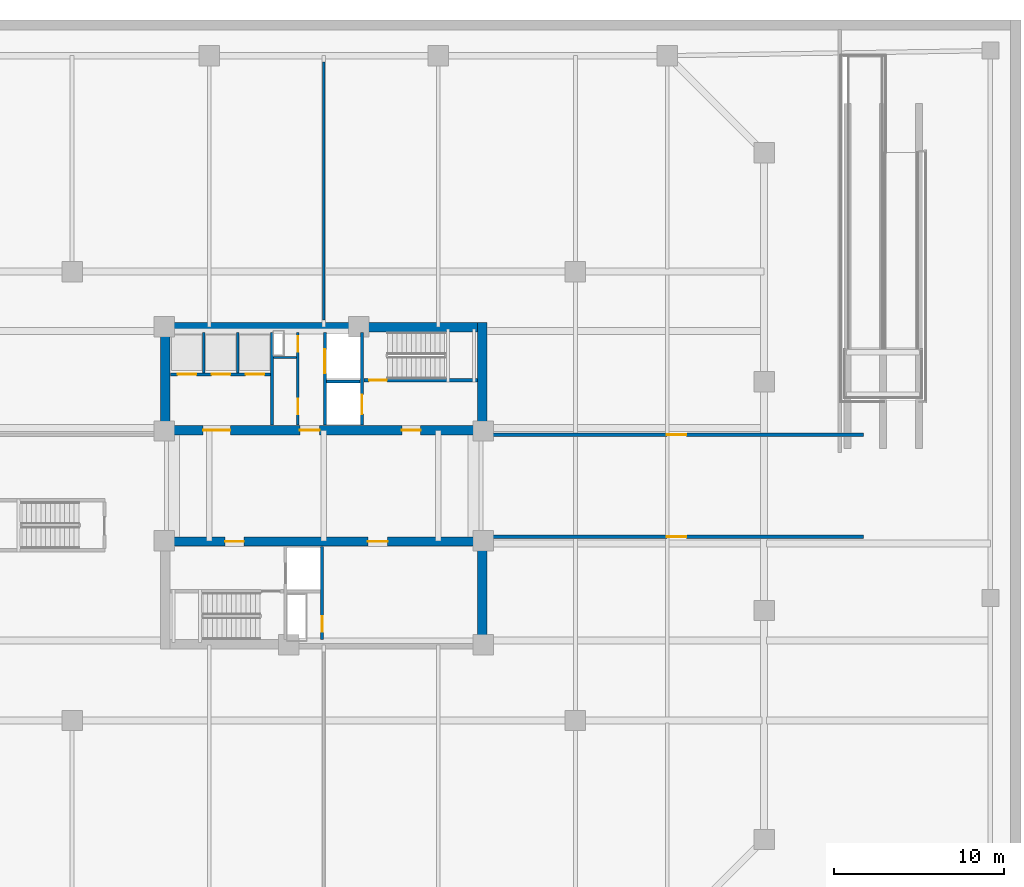
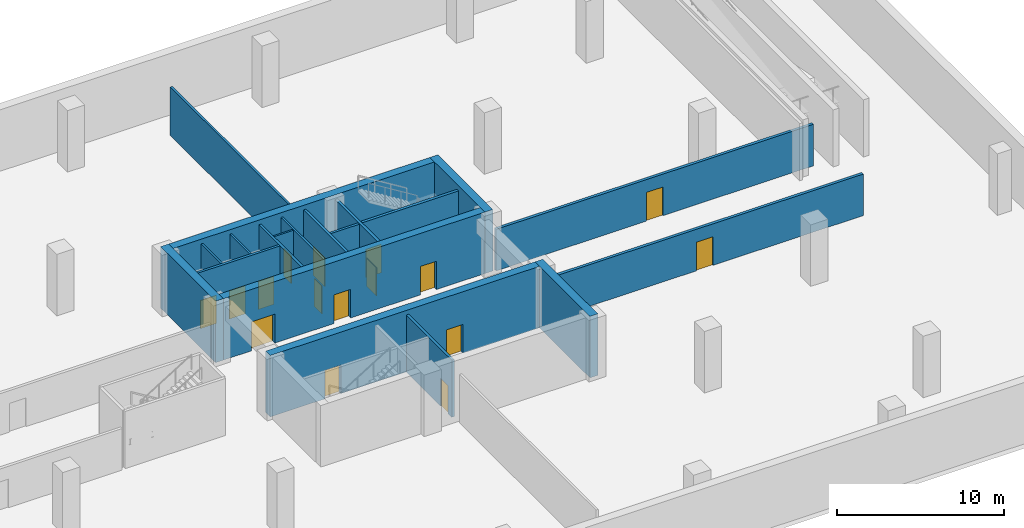
# One storey, part 4 of 8: 20 walls, 16 doors, 16 openings.
"""IFC4 building model written with IfcOpenShell, lengths in metres."""

from ifc_helpers import new_model, si_unit, direction, frame, frame_2d, origin, place, context, subcontext, project, spatial, rectangle, extrude, material, layer, layer_set, type_object, element, fill, save


model = new_model("IFC4")

# Units and contexts
model_context = context("Model", 3, precision=1e-05, world=origin(), true_north=direction((0.0, 1.0)))
body_context = subcontext(model_context, "Body", "Model", "MODEL_VIEW")
ifc_project = project(units=[si_unit("LENGTHUNIT", "METRE"), si_unit("AREAUNIT", "SQUARE_METRE"), si_unit("VOLUMEUNIT", "CUBIC_METRE"), si_unit("PLANEANGLEUNIT", "RADIAN"), si_unit("MASSUNIT", "GRAM", prefix="KILO")], contexts=[model_context])

# Site, building, storey
site_placement = place(None, origin())
site = spatial("IfcSite", under=ifc_project, at=site_placement, CompositionType="ELEMENT")
building_placement = place(site_placement, origin())
building = spatial("IfcBuilding", under=site, at=building_placement, Name="Qhalaya Broadcast Tower", CompositionType="ELEMENT")
storey_placement = place(building_placement, frame((0.0, 0.0, -4.5)))
storey = spatial("IfcBuildingStorey", under=building, at=storey_placement, Name="B01", CompositionType="ELEMENT", Elevation=-4.5)

# Wall, openings, doors
ifc_material_1 = material(Name="Gypsum Acoustic Partition")
ifc_layer_1 = layer(ifc_material_1, 0.14990234375, Name="Gypsum Acoustic Partition")
ifc_layer_set_1 = layer_set([ifc_layer_1], Name="Gypsum Acoustic Partition")
wall_type_1 = type_object("IfcWallType", Name="Corridor & Tenancy Acoustic Partition 150", PredefinedType="PARTITIONING", material=ifc_layer_set_1)
wall_1_placement = place(storey_placement, frame((-1.52001953125, 4.169921875, 0.0), z_axis=(0.0, 0.0, 1.0), x_axis=(0.0, 1.0, 0.0)))
wall_1 = element("IfcWall", 1, at=wall_1_placement, inside=storey, type_object=wall_type_1, Name="B01 Partition Wall NCW-SVL", PredefinedType="PARTITIONING", context=body_context, shape_type="SweptSolid", body=[
    extrude(rectangle(XDim=5.4599609375, YDim=0.14990234375, at=frame_2d((2.72998046875, 0.0))), origin(), (0.0, 0.0, 1.0), 4.179931640625),
])
opening_1_placement = place(wall_1_placement, frame((4.330078125, 0.0, 0.0)))
opening_1 = element("IfcOpeningElement", 2, at=opening_1_placement, cuts=wall_1, Name="Opening D06", PredefinedType="OPENING", context=body_context, shape_type="SweptSolid", body=[
    extrude(rectangle(XDim=0.89990234375, YDim=2.050048828125, at=frame_2d((0.449951171875, 1.02490234375))), frame((0.0, 0.0869140625, 0.0), z_axis=(0.0, -1.0, 0.0), x_axis=(1.0, 0.0, 0.0)), (0.0, 0.0, 1.0), 0.173828125),
])
opening_2_placement = place(wall_1_placement, frame((0.64990234375, 0.0, 0.0)))
opening_2 = element("IfcOpeningElement", 3, at=opening_2_placement, cuts=wall_1, Name="Opening D06", PredefinedType="OPENING", context=body_context, shape_type="SweptSolid", body=[
    extrude(rectangle(XDim=0.89990234375, YDim=2.050048828125, at=frame_2d((0.449951171875, 1.02490234375))), frame((0.0, 0.0869140625, 0.0), z_axis=(0.0, -1.0, 0.0), x_axis=(1.0, 0.0, 0.0)), (0.0, 0.0, 1.0), 0.173828125),
])
ifc_material_2 = material(Name="Fire-Rated Steel Door", Category="steel")
door_type_1 = type_object("IfcDoorType", Name="Riser & Electrical Shaft Access Door D06", OperationType="NOTDEFINED", PredefinedType="DOOR", material=ifc_material_2)
door_1_placement = place(opening_1_placement, origin())
door_1 = element("IfcDoor", 4, at=door_1_placement, inside=storey, type_object=door_type_1, Name="B01 Riser Shaft Access Door D-NRSR", OperationType="SINGLE_SWING_RIGHT", OverallHeight=2.050048828125, OverallWidth=0.89990234375, PredefinedType="DOOR", context=body_context, shape_type="SweptSolid", body=[
    extrude(rectangle(XDim=0.89990234375, YDim=2.050048828125, at=frame_2d((0.449951171875, 1.02490234375))), frame((0.0, 0.02490234375, 0.0), z_axis=(0.0, -1.0, 0.0), x_axis=(1.0, 0.0, 0.0)), (0.0, 0.0, 1.0), 0.050048828125),
])
fill(opening_1, door_1)
door_2_placement = place(opening_2_placement, origin())
door_2 = element("IfcDoor", 5, at=door_2_placement, inside=storey, type_object=door_type_1, Name="B01 Door D-NCST", OperationType="SINGLE_SWING_LEFT", OverallHeight=2.050048828125, OverallWidth=0.89990234375, PredefinedType="DOOR", context=body_context, shape_type="SweptSolid", body=[
    extrude(rectangle(XDim=0.89990234375, YDim=2.050048828125, at=frame_2d((0.449951171875, 1.02490234375))), frame((0.0, 0.02490234375, 0.0), z_axis=(0.0, -1.0, 0.0), x_axis=(1.0, 0.0, 0.0)), (0.0, 0.0, 1.0), 0.050048828125),
])
fill(opening_2, door_2)

# Wall
wall_2_placement = place(storey_placement, frame((0.0, 10.360107421875, 0.0), z_axis=(0.0, 0.0, 1.0), x_axis=(0.0, 1.0, 0.0)))
element("IfcWall", 6, at=wall_2_placement, inside=storey, type_object=wall_type_1, Name="B01 Partition Wall W-B01MN", PredefinedType="PARTITIONING", context=body_context, shape_type="SweptSolid", body=[
    extrude(rectangle(XDim=15.179931640625, YDim=0.14990234375, at=frame_2d((7.58984375, 0.0))), origin(), (0.0, 0.0, 1.0), 3.552978515625),
])

# Wall, opening, door
ifc_layer_2 = layer(ifc_material_1, 0.199951171875, Name="Gypsum Acoustic Partition")
ifc_layer_set_2 = layer_set([ifc_layer_2], Name="Gypsum Acoustic Partition")
wall_type_2 = type_object("IfcWallType", Name="Firefighting Lobby & Stair Enclosure Wall 200", PredefinedType="PARTITIONING", material=ifc_layer_set_2)
wall_3_placement = place(storey_placement, frame((9.760009765625, -2.39990234375, 0.0), z_axis=(0.0, 0.0, 1.0), x_axis=(1.0, 0.0, 0.0)))
wall_3 = element("IfcWall", 7, at=wall_3_placement, inside=storey, type_object=wall_type_2, Name="B01 Partition Wall W-B01S2", PredefinedType="PARTITIONING", context=body_context, shape_type="SweptSolid", body=[
    extrude(rectangle(XDim=21.97998046875, YDim=0.199951171875, at=frame_2d((10.989990234375, 0.0))), origin(), (0.0, 0.0, 1.0), 3.0419921875),
])
opening_3_placement = place(wall_3_placement, frame((10.4150390625, 0.0, 0.0)))
opening_3 = element("IfcOpeningElement", 8, at=opening_3_placement, cuts=wall_3, Name="Opening D05", PredefinedType="OPENING", context=body_context, shape_type="SweptSolid", body=[
    extrude(rectangle(XDim=1.14990234375, YDim=2.10009765625, at=frame_2d((0.574951171875, 1.050048828125))), frame((0.0, 0.112060546875, 0.0), z_axis=(0.0, -1.0, 0.0), x_axis=(1.0, 0.0, 0.0)), (0.0, 0.0, 1.0), 0.223876953125),
])
door_type_2 = type_object("IfcDoorType", Name="Refuge & Plant Room Fire Door D05", OperationType="NOTDEFINED", PredefinedType="DOOR", material=ifc_material_2)
door_3_placement = place(opening_3_placement, origin())
door_3 = element("IfcDoor", 9, at=door_3_placement, inside=storey, type_object=door_type_2, Name="B01 Door D-B01-SE", OperationType="SINGLE_SWING_RIGHT", OverallHeight=2.10009765625, OverallWidth=1.14990234375, PredefinedType="DOOR", context=body_context, shape_type="SweptSolid", body=[
    extrude(rectangle(XDim=1.14990234375, YDim=2.10009765625, at=frame_2d((0.574951171875, 1.050048828125))), frame((0.0, 0.02490234375, 0.0), z_axis=(0.0, -1.0, 0.0), x_axis=(1.0, 0.0, 0.0)), (0.0, 0.0, 1.0), 0.050048828125),
])
fill(opening_3, door_3)

wall_4_placement = place(storey_placement, frame((9.760009765625, 3.60009765625, 0.0), z_axis=(0.0, 0.0, 1.0), x_axis=(1.0, 0.0, 0.0)))
wall_4 = element("IfcWall", 10, at=wall_4_placement, inside=storey, type_object=wall_type_2, Name="B01 Partition Wall W-B01N2", PredefinedType="PARTITIONING", context=body_context, shape_type="SweptSolid", body=[
    extrude(rectangle(XDim=21.97998046875, YDim=0.199951171875, at=frame_2d((10.989990234375, 0.0))), origin(), (0.0, 0.0, 1.0), 3.0419921875),
])
opening_4_placement = place(wall_4_placement, frame((10.4150390625, 0.0, 0.0)))
opening_4 = element("IfcOpeningElement", 11, at=opening_4_placement, cuts=wall_4, Name="Opening D05", PredefinedType="OPENING", context=body_context, shape_type="SweptSolid", body=[
    extrude(rectangle(XDim=1.14990234375, YDim=2.10009765625, at=frame_2d((0.574951171875, 1.050048828125))), frame((0.0, 0.112060546875, 0.0), z_axis=(0.0, -1.0, 0.0), x_axis=(1.0, 0.0, 0.0)), (0.0, 0.0, 1.0), 0.223876953125),
])
door_4_placement = place(opening_4_placement, origin())
door_4 = element("IfcDoor", 12, at=door_4_placement, inside=storey, type_object=door_type_2, Name="B01 Door D-B01-NE", OperationType="SINGLE_SWING_LEFT", OverallHeight=2.10009765625, OverallWidth=1.14990234375, PredefinedType="DOOR", context=body_context, shape_type="SweptSolid", body=[
    extrude(rectangle(XDim=1.14990234375, YDim=2.10009765625, at=frame_2d((0.574951171875, 1.050048828125))), frame((0.0, 0.02490234375, 0.0), z_axis=(0.0, -1.0, 0.0), x_axis=(1.0, 0.0, 0.0)), (0.0, 0.0, 1.0), 0.050048828125),
])
fill(opening_4, door_4)

ifc_material_3 = material(Name="Concrete C50/60", Category="concrete")
ifc_layer_3 = layer(ifc_material_3, 0.199951171875, Name="Concrete C50/60")
ifc_layer_set_3 = layer_set([ifc_layer_3], Name="Concrete C50/60")
wall_type_3 = type_object("IfcWallType", Name="Load-Bearing Stair Shaft Wall 200", PredefinedType="SHEAR", material=ifc_layer_set_3)
wall_5_placement = place(storey_placement, frame((2.360107421875, 6.804931640625, 0.0), z_axis=(0.0, 0.0, 1.0), x_axis=(1.0, 0.0, 0.0)))
wall_5 = element("IfcWall", 13, at=wall_5_placement, inside=storey, type_object=wall_type_3, Name="B01 Stair Core Shear Wall NCW-ST1", PredefinedType="SHEAR", context=body_context, shape_type="SweptSolid", body=[
    extrude(rectangle(XDim=6.669921875, YDim=0.199951171875, at=frame_2d((3.3349609375, 0.0))), origin(), (0.0, 0.0, 1.0), 4.179931640625),
])
opening_5_placement = place(wall_5_placement, frame((0.300048828125, 0.0, 0.0)))
opening_5 = element("IfcOpeningElement", 14, at=opening_5_placement, cuts=wall_5, Name="Opening D03", PredefinedType="OPENING", context=body_context, shape_type="SweptSolid", body=[
    extrude(rectangle(XDim=1.050048828125, YDim=2.080078125, at=frame_2d((0.52490234375, 1.0400390625))), frame((0.0, 0.112060546875, 0.0), z_axis=(0.0, -1.0, 0.0), x_axis=(1.0, 0.0, 0.0)), (0.0, 0.0, 1.0), 0.223876953125),
])
door_type_3 = type_object("IfcDoorType", Name="Core Stair Protected Fire Door D03", OperationType="NOTDEFINED", PredefinedType="DOOR", material=ifc_material_2)
door_5_placement = place(opening_5_placement, origin())
door_5 = element("IfcDoor", 15, at=door_5_placement, inside=storey, type_object=door_type_3, Name="B01 Door D-NST1", OperationType="SINGLE_SWING_LEFT", OverallHeight=2.080078125, OverallWidth=1.050048828125, PredefinedType="DOOR", context=body_context, shape_type="SweptSolid", body=[
    extrude(rectangle(XDim=1.050048828125, YDim=2.080078125, at=frame_2d((0.52490234375, 1.0400390625))), frame((0.0, 0.02490234375, 0.0), z_axis=(0.0, -1.0, 0.0), x_axis=(1.0, 0.0, 0.0)), (0.0, 0.0, 1.0), 0.050048828125),
])
fill(opening_5, door_5)

wall_6_placement = place(storey_placement, frame((2.25, 4.169921875, 0.0), z_axis=(0.0, 0.0, 1.0), x_axis=(0.0, 1.0, 0.0)))
wall_6 = element("IfcWall", 16, at=wall_6_placement, inside=storey, type_object=wall_type_3, Name="B01 Stair Core Shear Wall NCW-FF", PredefinedType="SHEAR", context=body_context, shape_type="SweptSolid", body=[
    extrude(rectangle(XDim=5.4599609375, YDim=0.199951171875, at=frame_2d((2.72998046875, 0.0))), origin(), (0.0, 0.0, 1.0), 4.179931640625),
])
opening_6_placement = place(wall_6_placement, frame((0.64990234375, 0.0, 0.0)))
opening_6 = element("IfcOpeningElement", 17, at=opening_6_placement, cuts=wall_6, Name="Opening LD2", PredefinedType="OPENING", context=body_context, shape_type="SweptSolid", body=[
    extrude(rectangle(XDim=1.14990234375, YDim=2.080078125, at=frame_2d((0.574951171875, 1.0400390625))), frame((0.0, 0.112060546875, 0.0), z_axis=(0.0, -1.0, 0.0), x_axis=(1.0, 0.0, 0.0)), (0.0, 0.0, 1.0), 0.223876953125),
])
ifc_material_4 = material(Name="Brushed Stainless Steel Lift Door", Category="steel")
door_type_4 = type_object("IfcDoorType", Name="Firefighting Lift Sliding Landing Door LD2", OperationType="DOUBLE_DOOR_SLIDING", PredefinedType="DOOR", material=ifc_material_4)
door_6_placement = place(opening_6_placement, origin())
door_6 = element("IfcDoor", 18, at=door_6_placement, inside=storey, type_object=door_type_4, Name="B01 Door LD-FF1", OperationType="DOUBLE_DOOR_SLIDING", OverallHeight=2.080078125, OverallWidth=1.14990234375, PredefinedType="DOOR", context=body_context, shape_type="SweptSolid", body=[
    extrude(rectangle(XDim=1.14990234375, YDim=2.080078125, at=frame_2d((0.574951171875, 1.0400390625))), frame((0.0, 0.02490234375, 0.0), z_axis=(0.0, -1.0, 0.0), x_axis=(1.0, 0.0, 0.0)), (0.0, 0.0, 1.0), 0.050048828125),
])
fill(opening_6, door_6)

# Wall
ifc_material_5 = material(Name="Concrete C60/75", Category="concrete")
ifc_layer_4 = layer(ifc_material_5, 0.550048828125, Name="Concrete C60/75")
ifc_layer_set_4 = layer_set([ifc_layer_4], Name="Concrete C60/75")
wall_type_4 = type_object("IfcWallType", Name="Lower Split-Core Shear Wall 550", PredefinedType="SHEAR", material=ifc_layer_set_4)
wall_7_placement = place(storey_placement, frame((-9.60009765625, 9.925048828125, 0.0), z_axis=(0.0, 0.0, 1.0), x_axis=(1.0, 0.0, 0.0)))
element("IfcWall", 19, at=wall_7_placement, inside=storey, type_object=wall_type_4, Name="B01 Split-Core Shear Wall CW-NN", PredefinedType="SHEAR", context=body_context, shape_type="SweptSolid", body=[
    extrude(rectangle(XDim=19.2001953125, YDim=0.550048828125, at=frame_2d((9.60009765625, 0.0))), origin(), (0.0, 0.0, 1.0), 4.5),
])

# Wall, openings, doors
wall_8_placement = place(storey_placement, frame((-9.60009765625, 3.875, 0.0), z_axis=(0.0, 0.0, 1.0), x_axis=(1.0, 0.0, 0.0)))
wall_8 = element("IfcWall", 20, at=wall_8_placement, inside=storey, type_object=wall_type_4, Name="B01 Split-Core Shear Wall CW-NS", PredefinedType="SHEAR", context=body_context, shape_type="SweptSolid", body=[
    extrude(rectangle(XDim=19.2001953125, YDim=0.550048828125, at=frame_2d((9.60009765625, 0.0))), origin(), (0.0, 0.0, 1.0), 4.5),
])
opening_7_placement = place(wall_8_placement, frame((14.199951171875, 0.0, 0.0)))
opening_7 = element("IfcOpeningElement", 21, at=opening_7_placement, cuts=wall_8, Name="Opening D04", PredefinedType="OPENING", context=body_context, shape_type="SweptSolid", body=[
    extrude(rectangle(XDim=1.10009765625, YDim=2.080078125, at=frame_2d((0.550048828125, 1.0400390625))), frame((0.0, 0.287109375, 0.0), z_axis=(0.0, -1.0, 0.0), x_axis=(1.0, 0.0, 0.0)), (0.0, 0.0, 1.0), 0.573974609375),
])
opening_8_placement = place(wall_8_placement, frame((8.199951171875, 0.0, 0.0)))
opening_8 = element("IfcOpeningElement", 22, at=opening_8_placement, cuts=wall_8, Name="Opening D05", PredefinedType="OPENING", context=body_context, shape_type="SweptSolid", body=[
    extrude(rectangle(XDim=1.14990234375, YDim=2.10009765625, at=frame_2d((0.574951171875, 1.050048828125))), frame((0.0, 0.287109375, 0.0), z_axis=(0.0, -1.0, 0.0), x_axis=(1.0, 0.0, 0.0)), (0.0, 0.0, 1.0), 0.573974609375),
])
opening_9_placement = place(wall_8_placement, frame((2.5, 0.0, 0.0)))
opening_9 = element("IfcOpeningElement", 23, at=opening_9_placement, cuts=wall_8, Name="Opening D07", PredefinedType="OPENING", context=body_context, shape_type="SweptSolid", body=[
    extrude(rectangle(XDim=1.60009765625, YDim=2.1201171875, at=frame_2d((0.800048828125, 1.06005859375))), frame((0.0, 0.287109375, 0.0), z_axis=(0.0, -1.0, 0.0), x_axis=(1.0, 0.0, 0.0)), (0.0, 0.0, 1.0), 0.573974609375),
])
door_type_5 = type_object("IfcDoorType", Name="Firefighting Lobby Rated Door D04", OperationType="NOTDEFINED", PredefinedType="DOOR", material=ifc_material_2)
door_7_placement = place(opening_7_placement, origin())
door_7 = element("IfcDoor", 24, at=door_7_placement, inside=storey, type_object=door_type_5, Name="B01 Door D-NFF", OperationType="SINGLE_SWING_RIGHT", OverallHeight=2.080078125, OverallWidth=1.10009765625, PredefinedType="DOOR", context=body_context, shape_type="SweptSolid", body=[
    extrude(rectangle(XDim=1.10009765625, YDim=2.080078125, at=frame_2d((0.550048828125, 1.0400390625))), frame((0.0, 0.02490234375, 0.0), z_axis=(0.0, -1.0, 0.0), x_axis=(1.0, 0.0, 0.0)), (0.0, 0.0, 1.0), 0.050048828125),
])
fill(opening_7, door_7)
ifc_material_6 = material(Name="Anodised Aluminium Glazed Door", Category="aluminium")
door_type_6 = type_object("IfcDoorType", Name="Passenger Lift Lobby Double Glazed Door D07", OperationType="DOUBLE_DOOR_SINGLE_SWING", PredefinedType="DOOR", material=ifc_material_6)
door_8_placement = place(opening_9_placement, origin())
door_8 = element("IfcDoor", 25, at=door_8_placement, inside=storey, type_object=door_type_6, Name="B01 Door D-NPLL", OperationType="DOUBLE_DOOR_SINGLE_SWING", OverallHeight=2.1201171875, OverallWidth=1.60009765625, PredefinedType="DOOR", context=body_context, shape_type="SweptSolid", body=[
    extrude(rectangle(XDim=1.60009765625, YDim=2.1201171875, at=frame_2d((0.800048828125, 1.06005859375))), frame((0.0, 0.02490234375, 0.0), z_axis=(0.0, -1.0, 0.0), x_axis=(1.0, 0.0, 0.0)), (0.0, 0.0, 1.0), 0.050048828125),
])
fill(opening_9, door_8)
door_9_placement = place(opening_8_placement, origin())
door_9 = element("IfcDoor", 26, at=door_9_placement, inside=storey, type_object=door_type_2, Name="B01 Door D-NSVL", OperationType="SINGLE_SWING_LEFT", OverallHeight=2.10009765625, OverallWidth=1.14990234375, PredefinedType="DOOR", context=body_context, shape_type="SweptSolid", body=[
    extrude(rectangle(XDim=1.14990234375, YDim=2.10009765625, at=frame_2d((0.574951171875, 1.050048828125))), frame((0.0, 0.02490234375, 0.0), z_axis=(0.0, -1.0, 0.0), x_axis=(1.0, 0.0, 0.0)), (0.0, 0.0, 1.0), 0.050048828125),
])
fill(opening_8, door_9)

# Walls
for number, where, z_axis, x_axis, name in (
    (27, (-9.324951171875, 3.60009765625, 0.0), (0.0, 0.0, 1.0), (0.0, 1.0, 0.0), "B01 Split-Core Shear Wall CW-NW"),
    (28, (9.324951171875, 3.60009765625, 0.0), (0.0, 0.0, 1.0), (0.0, 1.0, 0.0), "B01 Split-Core Shear Wall CW-NE"),
):
    element("IfcWall", number, at=place(storey_placement, frame(where, z_axis=z_axis, x_axis=x_axis)), inside=storey, type_object=wall_type_4, Name=name, PredefinedType="SHEAR", context=body_context, shape_type="SweptSolid", body=[
        extrude(rectangle(XDim=6.599853515625, YDim=0.550048828125, at=frame_2d((3.2998046875, 0.0))), origin(), (0.0, 0.0, 1.0), 4.5),
    ])

# Wall, openings, doors
wall_9_placement = place(storey_placement, frame((-9.60009765625, -2.675048828125, 0.0), z_axis=(0.0, 0.0, 1.0), x_axis=(1.0, 0.0, 0.0)))
wall_9 = element("IfcWall", 29, at=wall_9_placement, inside=storey, type_object=wall_type_4, Name="B01 Split-Core Shear Wall CW-SN", PredefinedType="SHEAR", context=body_context, shape_type="SweptSolid", body=[
    extrude(rectangle(XDim=19.2001953125, YDim=0.550048828125, at=frame_2d((9.60009765625, 0.0))), origin(), (0.0, 0.0, 1.0), 4.5),
])
opening_10_placement = place(wall_9_placement, frame((3.800048828125, 0.0, 0.0)))
opening_10 = element("IfcOpeningElement", 30, at=opening_10_placement, cuts=wall_9, Name="Opening D04", PredefinedType="OPENING", context=body_context, shape_type="SweptSolid", body=[
    extrude(rectangle(XDim=1.10009765625, YDim=2.080078125, at=frame_2d((0.550048828125, 1.0400390625))), frame((0.0, 0.287109375, 0.0), z_axis=(0.0, -1.0, 0.0), x_axis=(1.0, 0.0, 0.0)), (0.0, 0.0, 1.0), 0.573974609375),
])
opening_11_placement = place(wall_9_placement, frame((12.199951171875, 0.0, 0.0)))
opening_11 = element("IfcOpeningElement", 31, at=opening_11_placement, cuts=wall_9, Name="Opening D05", PredefinedType="OPENING", context=body_context, shape_type="SweptSolid", body=[
    extrude(rectangle(XDim=1.14990234375, YDim=2.10009765625, at=frame_2d((0.574951171875, 1.050048828125))), frame((0.0, 0.287109375, 0.0), z_axis=(0.0, -1.0, 0.0), x_axis=(1.0, 0.0, 0.0)), (0.0, 0.0, 1.0), 0.573974609375),
])
door_10_placement = place(opening_10_placement, origin())
door_10 = element("IfcDoor", 32, at=door_10_placement, inside=storey, type_object=door_type_5, Name="B01 Door D-SFF", OperationType="SINGLE_SWING_LEFT", OverallHeight=2.080078125, OverallWidth=1.10009765625, PredefinedType="DOOR", context=body_context, shape_type="SweptSolid", body=[
    extrude(rectangle(XDim=1.10009765625, YDim=2.080078125, at=frame_2d((0.550048828125, 1.0400390625))), frame((0.0, 0.02490234375, 0.0), z_axis=(0.0, -1.0, 0.0), x_axis=(1.0, 0.0, 0.0)), (0.0, 0.0, 1.0), 0.050048828125),
])
fill(opening_10, door_10)
door_11_placement = place(opening_11_placement, origin())
door_11 = element("IfcDoor", 33, at=door_11_placement, inside=storey, type_object=door_type_2, Name="B01 Door D-SBPLT", OperationType="SINGLE_SWING_RIGHT", OverallHeight=2.10009765625, OverallWidth=1.14990234375, PredefinedType="DOOR", context=body_context, shape_type="SweptSolid", body=[
    extrude(rectangle(XDim=1.14990234375, YDim=2.10009765625, at=frame_2d((0.574951171875, 1.050048828125))), frame((0.0, 0.02490234375, 0.0), z_axis=(0.0, -1.0, 0.0), x_axis=(1.0, 0.0, 0.0)), (0.0, 0.0, 1.0), 0.050048828125),
])
fill(opening_11, door_11)

# Walls
wall_10_placement = place(storey_placement, frame((9.324951171875, -9.0, 0.0), z_axis=(0.0, 0.0, 1.0), x_axis=(0.0, 1.0, 0.0)))
element("IfcWall", 34, at=wall_10_placement, inside=storey, type_object=wall_type_4, Name="B01 Split-Core Shear Wall CW-SE", PredefinedType="SHEAR", context=body_context, shape_type="SweptSolid", body=[
    extrude(rectangle(XDim=6.60009765625, YDim=0.550048828125, at=frame_2d((3.300048828125, 0.0))), origin(), (0.0, 0.0, 1.0), 4.5),
])
ifc_layer_5 = layer(ifc_material_1, 0.1201171875, Name="Gypsum Acoustic Partition")
ifc_layer_set_5 = layer_set([ifc_layer_5], Name="Gypsum Acoustic Partition")
wall_type_5 = type_object("IfcWallType", Name="Office, Booth & Sanitary Partition 120", PredefinedType="PARTITIONING", material=ifc_layer_set_5)
wall_11_placement = place(storey_placement, frame((-2.9599609375, 8.14990234375, 0.0), z_axis=(0.0, 0.0, 1.0), x_axis=(1.0, 0.0, 0.0)))
element("IfcWall", 35, at=wall_11_placement, inside=storey, type_object=wall_type_5, Name="B01 Partition Wall NCW-VA", PredefinedType="PARTITIONING", context=body_context, shape_type="SweptSolid", body=[
    extrude(rectangle(XDim=1.35986328125, YDim=0.1201171875, at=frame_2d((0.679931640625, 0.0))), origin(), (0.0, 0.0, 1.0), 4.179931640625),
])
for number, where, z_axis, x_axis, name in (
    (36, (-7.06005859375, 7.25, 0.0), (0.0, 0.0, 1.0), (0.0, 1.0, 0.0), "B01 Partition Wall NCW-PD1"),
    (37, (-5.06005859375, 7.25, 0.0), (0.0, 0.0, 1.0), (0.0, 1.0, 0.0), "B01 Partition Wall NCW-PD2"),
):
    element("IfcWall", number, at=place(storey_placement, frame(where, z_axis=z_axis, x_axis=x_axis)), inside=storey, type_object=wall_type_5, Name=name, PredefinedType="PARTITIONING", context=body_context, shape_type="SweptSolid", body=[
        extrude(rectangle(XDim=2.3798828125, YDim=0.1201171875, at=frame_2d((1.18994140625, 0.0))), origin(), (0.0, 0.0, 1.0), 4.179931640625),
    ])

# Wall, opening, door
ifc_layer_6 = layer(ifc_material_1, 0.175048828125, Name="Gypsum Acoustic Partition")
ifc_layer_set_6 = layer_set([ifc_layer_6], Name="Gypsum Acoustic Partition")
wall_type_6 = type_object("IfcWallType", Name="Shaft & Riser Fire Partition 175", PredefinedType="PARTITIONING", material=ifc_layer_set_6)
wall_12_placement = place(storey_placement, frame((0.06005859375, 4.169921875, 0.0), z_axis=(0.0, 0.0, 1.0), x_axis=(0.0, 1.0, 0.0)))
wall_12 = element("IfcWall", 38, at=wall_12_placement, inside=storey, type_object=wall_type_6, Name="B01 Partition Wall NCW-SVW", PredefinedType="PARTITIONING", context=body_context, shape_type="SweptSolid", body=[
    extrude(rectangle(XDim=5.4599609375, YDim=0.175048828125, at=frame_2d((2.72998046875, 0.0))), origin(), (0.0, 0.0, 1.0), 4.179931640625),
])
opening_12_placement = place(wall_12_placement, frame((3.050048828125, 0.0, 0.0)))
opening_12 = element("IfcOpeningElement", 39, at=opening_12_placement, cuts=wall_12, Name="Opening LD3", PredefinedType="OPENING", context=body_context, shape_type="SweptSolid", body=[
    extrude(rectangle(XDim=1.39990234375, YDim=2.1201171875, at=frame_2d((0.699951171875, 1.06005859375))), frame((0.0, 0.099609375, 0.0), z_axis=(0.0, -1.0, 0.0), x_axis=(1.0, 0.0, 0.0)), (0.0, 0.0, 1.0), 0.198974609375),
])
door_type_7 = type_object("IfcDoorType", Name="Service Lift Wide Sliding Landing Door LD3", OperationType="DOUBLE_DOOR_SLIDING", PredefinedType="DOOR", material=ifc_material_4)
door_12_placement = place(opening_12_placement, origin())
door_12 = element("IfcDoor", 40, at=door_12_placement, inside=storey, type_object=door_type_7, Name="B01 Door LD-SV1", OperationType="DOUBLE_DOOR_SLIDING", OverallHeight=2.1201171875, OverallWidth=1.39990234375, PredefinedType="DOOR", context=body_context, shape_type="SweptSolid", body=[
    extrude(rectangle(XDim=1.39990234375, YDim=2.1201171875, at=frame_2d((0.699951171875, 1.06005859375))), frame((0.0, 0.02490234375, 0.0), z_axis=(0.0, -1.0, 0.0), x_axis=(1.0, 0.0, 0.0)), (0.0, 0.0, 1.0), 0.050048828125),
])
fill(opening_12, door_12)

# Walls
wall_13_placement = place(storey_placement, frame((0.159912109375, 6.75, 0.0), z_axis=(0.0, 0.0, 1.0), x_axis=(1.0, 0.0, 0.0)))
element("IfcWall", 41, at=wall_13_placement, inside=storey, type_object=wall_type_6, Name="B01 Partition Wall NCW-SVM", PredefinedType="PARTITIONING", context=body_context, shape_type="SweptSolid", body=[
    extrude(rectangle(XDim=1.97998046875, YDim=0.175048828125, at=frame_2d((0.989990234375, 0.0))), origin(), (0.0, 0.0, 1.0), 4.179931640625),
])
wall_14_placement = place(storey_placement, frame((-3.0400390625, 4.169921875, 0.0), z_axis=(0.0, 0.0, 1.0), x_axis=(0.0, 1.0, 0.0)))
element("IfcWall", 42, at=wall_14_placement, inside=storey, type_object=wall_type_6, Name="B01 Partition Wall NCW-VRW", PredefinedType="PARTITIONING", context=body_context, shape_type="SweptSolid", body=[
    extrude(rectangle(XDim=5.4599609375, YDim=0.175048828125, at=frame_2d((2.72998046875, 0.0))), origin(), (0.0, 0.0, 1.0), 4.179931640625),
])

# Wall, openings, doors
wall_15_placement = place(storey_placement, frame((-9.030029296875, 7.159912109375, 0.0), z_axis=(0.0, 0.0, 1.0), x_axis=(1.0, 0.0, 0.0)))
wall_15 = element("IfcWall", 43, at=wall_15_placement, inside=storey, type_object=wall_type_6, Name="B01 Partition Wall NCW-PLB", PredefinedType="PARTITIONING", context=body_context, shape_type="SweptSolid", body=[
    extrude(rectangle(XDim=5.909912109375, YDim=0.175048828125, at=frame_2d((2.955078125, 0.0))), origin(), (0.0, 0.0, 1.0), 4.179931640625),
])
opening_13_placement = place(wall_15_placement, frame((0.429931640625, 0.0, 0.0)))
opening_13 = element("IfcOpeningElement", 44, at=opening_13_placement, cuts=wall_15, Name="Opening LD1", PredefinedType="OPENING", context=body_context, shape_type="SweptSolid", body=[
    extrude(rectangle(XDim=1.10009765625, YDim=2.06005859375, at=frame_2d((0.550048828125, 1.030029296875))), frame((0.0, 0.099609375, 0.0), z_axis=(0.0, -1.0, 0.0), x_axis=(1.0, 0.0, 0.0)), (0.0, 0.0, 1.0), 0.198974609375),
])
opening_14_placement = place(wall_15_placement, frame((2.429931640625, 0.0, 0.0)))
opening_14 = element("IfcOpeningElement", 45, at=opening_14_placement, cuts=wall_15, Name="Opening LD1", PredefinedType="OPENING", context=body_context, shape_type="SweptSolid", body=[
    extrude(rectangle(XDim=1.10009765625, YDim=2.06005859375, at=frame_2d((0.550048828125, 1.030029296875))), frame((0.0, 0.099609375, 0.0), z_axis=(0.0, -1.0, 0.0), x_axis=(1.0, 0.0, 0.0)), (0.0, 0.0, 1.0), 0.198974609375),
])
opening_15_placement = place(wall_15_placement, frame((4.429931640625, 0.0, 0.0)))
opening_15 = element("IfcOpeningElement", 46, at=opening_15_placement, cuts=wall_15, Name="Opening LD1", PredefinedType="OPENING", context=body_context, shape_type="SweptSolid", body=[
    extrude(rectangle(XDim=1.10009765625, YDim=2.06005859375, at=frame_2d((0.550048828125, 1.030029296875))), frame((0.0, 0.099609375, 0.0), z_axis=(0.0, -1.0, 0.0), x_axis=(1.0, 0.0, 0.0)), (0.0, 0.0, 1.0), 0.198974609375),
])
door_type_8 = type_object("IfcDoorType", Name="Passenger Lift Sliding Landing Door LD1", OperationType="DOUBLE_DOOR_SLIDING", PredefinedType="DOOR", material=ifc_material_4)
door_13_placement = place(opening_13_placement, origin())
door_13 = element("IfcDoor", 47, at=door_13_placement, inside=storey, type_object=door_type_8, Name="B01 Door LD-P1", OperationType="DOUBLE_DOOR_SLIDING", OverallHeight=2.06005859375, OverallWidth=1.10009765625, PredefinedType="DOOR", context=body_context, shape_type="SweptSolid", body=[
    extrude(rectangle(XDim=1.10009765625, YDim=2.06005859375, at=frame_2d((0.550048828125, 1.030029296875))), frame((0.0, 0.02490234375, 0.0), z_axis=(0.0, -1.0, 0.0), x_axis=(1.0, 0.0, 0.0)), (0.0, 0.0, 1.0), 0.050048828125),
])
fill(opening_13, door_13)
door_14_placement = place(opening_14_placement, origin())
door_14 = element("IfcDoor", 48, at=door_14_placement, inside=storey, type_object=door_type_8, Name="B01 Door LD-P2", OperationType="DOUBLE_DOOR_SLIDING", OverallHeight=2.06005859375, OverallWidth=1.10009765625, PredefinedType="DOOR", context=body_context, shape_type="SweptSolid", body=[
    extrude(rectangle(XDim=1.10009765625, YDim=2.06005859375, at=frame_2d((0.550048828125, 1.030029296875))), frame((0.0, 0.02490234375, 0.0), z_axis=(0.0, -1.0, 0.0), x_axis=(1.0, 0.0, 0.0)), (0.0, 0.0, 1.0), 0.050048828125),
])
fill(opening_14, door_14)
door_15_placement = place(opening_15_placement, origin())
door_15 = element("IfcDoor", 49, at=door_15_placement, inside=storey, type_object=door_type_8, Name="B01 Door LD-P3", OperationType="DOUBLE_DOOR_SLIDING", OverallHeight=2.06005859375, OverallWidth=1.10009765625, PredefinedType="DOOR", context=body_context, shape_type="SweptSolid", body=[
    extrude(rectangle(XDim=1.10009765625, YDim=2.06005859375, at=frame_2d((0.550048828125, 1.030029296875))), frame((0.0, 0.02490234375, 0.0), z_axis=(0.0, -1.0, 0.0), x_axis=(1.0, 0.0, 0.0)), (0.0, 0.0, 1.0), 0.050048828125),
])
fill(opening_15, door_15)

# Wall, opening, door
wall_16_placement = place(storey_placement, frame((-0.10009765625, -8.429931640625, 0.0), z_axis=(0.0, 0.0, 1.0), x_axis=(0.0, 1.0, 0.0)))
wall_16 = element("IfcWall", 50, at=wall_16_placement, inside=storey, type_object=wall_type_6, Name="B01 Partition Wall SCW-FFE", PredefinedType="PARTITIONING", context=body_context, shape_type="SweptSolid", body=[
    extrude(rectangle(XDim=5.4599609375, YDim=0.175048828125, at=frame_2d((2.72998046875, 0.0))), origin(), (0.0, 0.0, 1.0), 4.179931640625),
])
opening_16_placement = place(wall_16_placement, frame((0.449951171875, 0.0, 0.0)))
opening_16 = element("IfcOpeningElement", 51, at=opening_16_placement, cuts=wall_16, Name="Opening D06", PredefinedType="OPENING", context=body_context, shape_type="SweptSolid", body=[
    extrude(rectangle(XDim=0.89990234375, YDim=2.050048828125, at=frame_2d((0.449951171875, 1.02490234375))), frame((0.0, 0.099609375, 0.0), z_axis=(0.0, -1.0, 0.0), x_axis=(1.0, 0.0, 0.0)), (0.0, 0.0, 1.0), 0.198974609375),
])
door_16_placement = place(opening_16_placement, origin())
door_16 = element("IfcDoor", 52, at=door_16_placement, inside=storey, type_object=door_type_1, Name="B01 Riser Shaft Access Door D-SRSR", OperationType="SINGLE_SWING_LEFT", OverallHeight=2.050048828125, OverallWidth=0.89990234375, PredefinedType="DOOR", context=body_context, shape_type="SweptSolid", body=[
    extrude(rectangle(XDim=0.89990234375, YDim=2.050048828125, at=frame_2d((0.449951171875, 1.02490234375))), frame((0.0, 0.02490234375, 0.0), z_axis=(0.0, -1.0, 0.0), x_axis=(1.0, 0.0, 0.0)), (0.0, 0.0, 1.0), 0.050048828125),
])
fill(opening_16, door_16)

save(model, "model.ifc")
